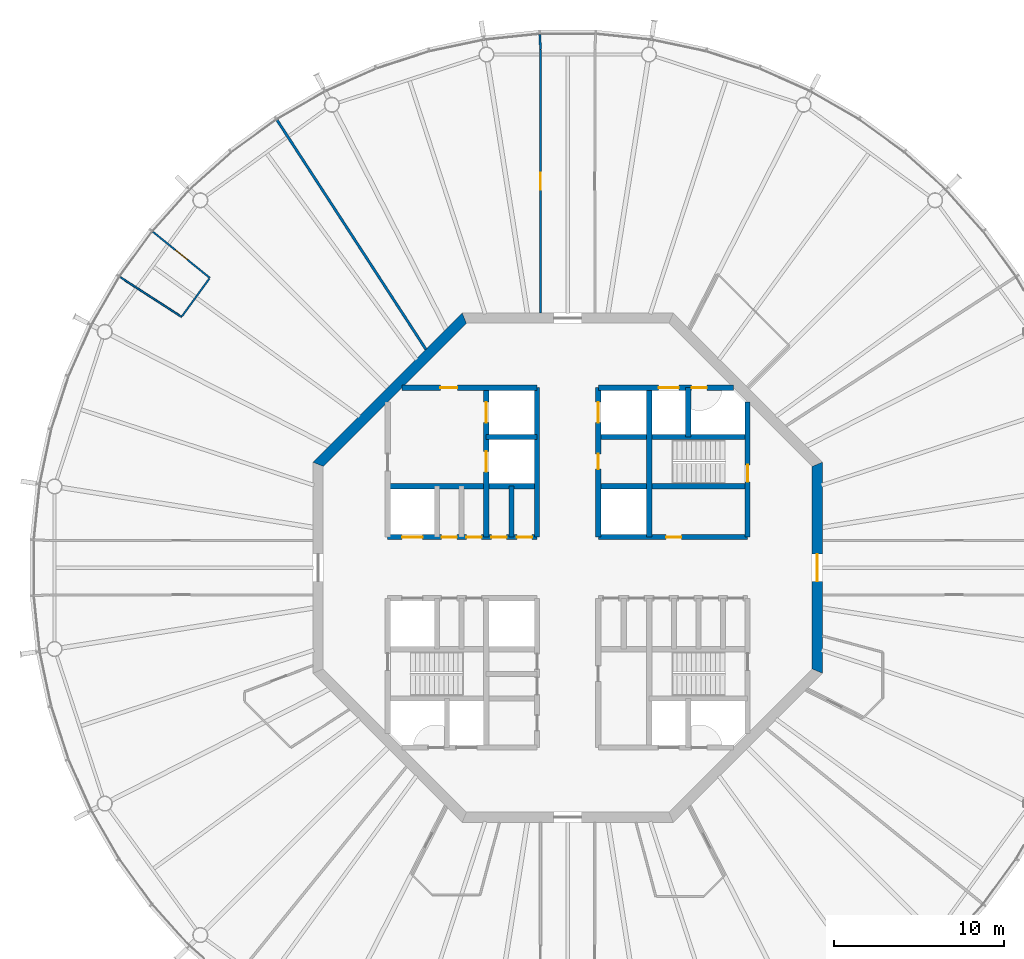
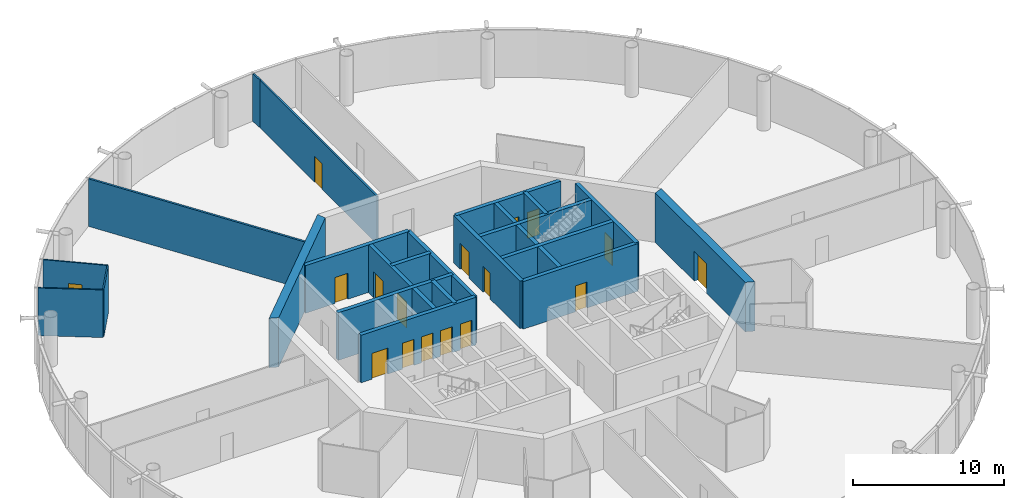
# One storey, part 5 of 19: 23 walls, 17 doors, 17 openings.
"""IFC4 building model written with IfcOpenShell, lengths in metres."""

from ifc_helpers import new_model, si_unit, direction, frame, frame_2d, origin, place, context, subcontext, project, spatial, polyline, rectangle, outline, extrude, material, layer, layer_set, type_object, element, fill, save


model = new_model("IFC4")

# Units and contexts
model_context = context("Model", 3, precision=1e-05, world=origin(), true_north=direction((0.0, 1.0)))
body_context = subcontext(model_context, "Body", "Model", "MODEL_VIEW")
ifc_project = project(units=[si_unit("LENGTHUNIT", "METRE"), si_unit("AREAUNIT", "SQUARE_METRE"), si_unit("VOLUMEUNIT", "CUBIC_METRE"), si_unit("PLANEANGLEUNIT", "RADIAN"), si_unit("MASSUNIT", "GRAM", prefix="KILO")], contexts=[model_context])

# Site, building, storey
site_placement = place(None, origin())
site = spatial("IfcSite", under=ifc_project, at=site_placement, CompositionType="ELEMENT")
building_placement = place(site_placement, origin())
building = spatial("IfcBuilding", under=site, at=building_placement, Name="Entoto Ring Tower", CompositionType="ELEMENT")
storey_placement = place(building_placement, frame((0.0, 0.0, 368.0)))
storey = spatial("IfcBuildingStorey", under=building, at=storey_placement, Name="L85", CompositionType="ELEMENT", Elevation=368.0)

# Wall, opening, door
ifc_material_1 = material(Name="Concrete C40/50", Category="concrete")
ifc_layer_1 = layer(ifc_material_1, 0.300048828125)
ifc_layer_set_1 = layer_set([ifc_layer_1], Name="Concrete C40/50")
wall_type_1 = type_object("IfcWallType", Name="Core enclosure wall 300 mm reinforced concrete", PredefinedType="SOLIDWALL", material=ifc_layer_set_1)
wall_1_placement = place(storey_placement, frame((100.60009765625, 81.800048828125, 0.0), z_axis=(0.0, 0.0, 1.0), x_axis=(0.0, 1.0, 0.0)))
wall_1 = element("IfcWall", 1, at=wall_1_placement, inside=storey, type_object=wall_type_1, Name="wall-L85-002", PredefinedType="SOLIDWALL", context=body_context, shape_type="SweptSolid", body=[
    extrude(rectangle(XDim=7.964599609375, YDim=0.300048828125, at=frame_2d((3.982421875, 0.0))), origin(), (0.0, 0.0, 1.0), 3.85009765625),
])
opening_1_placement = place(wall_1_placement, frame((3.25, 0.0, 0.0)))
opening_1 = element("IfcOpeningElement", 2, at=opening_1_placement, cuts=wall_1, Name="Opening K-29", PredefinedType="OPENING", context=body_context, shape_type="SweptSolid", body=[
    extrude(rectangle(XDim=1.0, YDim=2.10009765625, at=frame_2d((0.5, 1.050048828125))), frame((0.0, 0.16015625, 0.0), z_axis=(0.0, -1.0, 0.0), x_axis=(1.0, 0.0, 0.0)), (0.0, 0.0, 1.0), 0.320068359375),
])
ifc_material_2 = material(Name="Steel door leaf, fire rated", Category="steel")
ifc_layer_2 = layer(ifc_material_2, 0.050048828125)
ifc_layer_set_2 = layer_set([ifc_layer_2], Name="Steel door leaf, fire rated")
door_type_1 = type_object("IfcDoorType", Name="Fire door FD60 1000 x 2100 single leaf", OperationType="NOTDEFINED", PredefinedType="DOOR", material=ifc_layer_set_2)
door_1_placement = place(opening_1_placement, origin())
door_1 = element("IfcDoor", 3, at=door_1_placement, inside=storey, type_object=door_type_1, Name="Door K-29", OperationType="SINGLE_SWING_LEFT", OverallHeight=2.10009765625, OverallWidth=1.0, PredefinedType="DOOR", context=body_context, shape_type="SweptSolid", body=[
    extrude(rectangle(XDim=1.0, YDim=2.10009765625, at=frame_2d((0.5, 1.050048828125))), frame((0.0, 0.02490234375, 0.0), z_axis=(0.0, -1.0, 0.0), x_axis=(1.0, 0.0, 0.0)), (0.0, 0.0, 1.0), 0.050048828125),
])
fill(opening_1, door_1)

# Walls
wall_2_placement = place(storey_placement, frame((97.10009765625, 87.699951171875, 0.0), z_axis=(0.0, 0.0, 1.0), x_axis=(0.0, 1.0, 0.0)))
element("IfcWall", 4, at=wall_2_placement, inside=storey, type_object=wall_type_1, Name="wall-L85-006", PredefinedType="SOLIDWALL", context=body_context, shape_type="SweptSolid", body=[
    extrude(rectangle(XDim=2.900146484375, YDim=0.300048828125, at=frame_2d((1.4501953125, 0.0))), origin(), (0.0, 0.0, 1.0), 3.85009765625),
])
wall_3_placement = place(storey_placement, frame((94.800048828125, 81.800048828125, 0.0), z_axis=(0.0, 0.0, 1.0), x_axis=(0.0, 1.0, 0.0)))
element("IfcWall", 5, at=wall_3_placement, inside=storey, type_object=wall_type_1, Name="wall-L85-009", PredefinedType="SOLIDWALL", context=body_context, shape_type="SweptSolid", body=[
    extrude(rectangle(XDim=8.800048828125, YDim=0.300048828125, at=frame_2d((4.39990234375, 0.0))), origin(), (0.0, 0.0, 1.0), 3.85009765625),
])

# Wall, openings, doors
wall_4_placement = place(storey_placement, frame((91.800048828125, 81.800048828125, 0.0), z_axis=(0.0, 0.0, 1.0), x_axis=(0.0, 1.0, 0.0)))
wall_4 = element("IfcWall", 6, at=wall_4_placement, inside=storey, type_object=wall_type_1, Name="wall-L85-012", PredefinedType="SOLIDWALL", context=body_context, shape_type="SweptSolid", body=[
    extrude(rectangle(XDim=8.800048828125, YDim=0.300048828125, at=frame_2d((4.39990234375, 0.0))), origin(), (0.0, 0.0, 1.0), 3.85009765625),
])
opening_2_placement = place(wall_4_placement, frame((6.75, 0.0, 0.0)))
opening_2 = element("IfcOpeningElement", 7, at=opening_2_placement, cuts=wall_4, Name="Opening LD", PredefinedType="OPENING", context=body_context, shape_type="SweptSolid", body=[
    extrude(rectangle(XDim=1.199951171875, YDim=2.10009765625, at=frame_2d((0.60009765625, 1.050048828125))), frame((0.0, 0.16015625, 0.0), z_axis=(0.0, -1.0, 0.0), x_axis=(1.0, 0.0, 0.0)), (0.0, 0.0, 1.0), 0.320068359375),
])
opening_3_placement = place(wall_4_placement, frame((4.0, 0.0, 0.0)))
opening_3 = element("IfcOpeningElement", 8, at=opening_3_placement, cuts=wall_4, Name="Opening K-63", PredefinedType="OPENING", context=body_context, shape_type="SweptSolid", body=[
    extrude(rectangle(XDim=0.89990234375, YDim=2.10009765625, at=frame_2d((0.449951171875, 1.050048828125))), frame((0.0, 0.16015625, 0.0), z_axis=(0.0, -1.0, 0.0), x_axis=(1.0, 0.0, 0.0)), (0.0, 0.0, 1.0), 0.320068359375),
])
ifc_material_3 = material(Name="Steel door leaf, fire rated", Category="steel")
ifc_layer_3 = layer(ifc_material_3, 0.050048828125)
ifc_layer_set_3 = layer_set([ifc_layer_3], Name="Steel door leaf, fire rated")
door_type_2 = type_object("IfcDoorType", Name="Core door 900 x 2100 single leaf", OperationType="NOTDEFINED", PredefinedType="DOOR", material=ifc_layer_set_3)
door_2_placement = place(opening_3_placement, frame((0.89990234375, 0.0, 0.0), z_axis=(0.0, 0.0, 1.0), x_axis=(-1.0, 0.0, 0.0)))
door_2 = element("IfcDoor", 9, at=door_2_placement, inside=storey, type_object=door_type_2, Name="Door K-63", OperationType="SINGLE_SWING_RIGHT", OverallHeight=2.10009765625, OverallWidth=0.89990234375, PredefinedType="DOOR", context=body_context, shape_type="SweptSolid", body=[
    extrude(rectangle(XDim=0.89990234375, YDim=2.10009765625, at=frame_2d((0.449951171875, 1.050048828125))), frame((0.0, 0.02490234375, 0.0), z_axis=(0.0, -1.0, 0.0), x_axis=(1.0, 0.0, 0.0)), (0.0, 0.0, 1.0), 0.050048828125),
])
fill(opening_3, door_2)
ifc_material_4 = material(Name="Steel and glass door leaf", Category="steel")
ifc_layer_4 = layer(ifc_material_4, 0.050048828125)
ifc_layer_set_4 = layer_set([ifc_layer_4], Name="Steel and glass door leaf")
door_type_3 = type_object("IfcDoorType", Name="Landing door 1200 x 2100 sliding", OperationType="DOUBLE_DOOR_SLIDING", PredefinedType="DOOR", material=ifc_layer_set_4)
door_3_placement = place(opening_2_placement, origin())
door_3 = element("IfcDoor", 10, at=door_3_placement, inside=storey, type_object=door_type_3, Name="Landing door SH3", OperationType="SLIDING_TO_RIGHT", OverallHeight=2.10009765625, OverallWidth=1.199951171875, PredefinedType="DOOR", context=body_context, shape_type="SweptSolid", body=[
    extrude(rectangle(XDim=1.199951171875, YDim=2.10009765625, at=frame_2d((0.60009765625, 1.050048828125))), frame((0.0, 0.02490234375, 0.0), z_axis=(0.0, -1.0, 0.0), x_axis=(1.0, 0.0, 0.0)), (0.0, 0.0, 1.0), 0.050048828125),
])
fill(opening_2, door_3)

# Walls
wall_5_placement = place(storey_placement, frame((88.199951171875, 81.800048828125, 0.0), z_axis=(0.0, 0.0, 1.0), x_axis=(0.0, 1.0, 0.0)))
element("IfcWall", 11, at=wall_5_placement, inside=storey, type_object=wall_type_1, Name="wall-L85-014", PredefinedType="SOLIDWALL", context=body_context, shape_type="SweptSolid", body=[
    extrude(rectangle(XDim=8.800048828125, YDim=0.300048828125, at=frame_2d((4.39990234375, 0.0))), origin(), (0.0, 0.0, 1.0), 3.85009765625),
])
wall_6_placement = place(storey_placement, frame((86.699951171875, 81.800048828125, 0.0), z_axis=(0.0, 0.0, 1.0), x_axis=(0.0, 1.0, 0.0)))
element("IfcWall", 12, at=wall_6_placement, inside=storey, type_object=wall_type_1, Name="wall-L85-015", PredefinedType="SOLIDWALL", context=body_context, shape_type="SweptSolid", body=[
    extrude(rectangle(XDim=3.0, YDim=0.300048828125, at=frame_2d((1.5, 0.0))), origin(), (0.0, 0.0, 1.0), 3.85009765625),
])

# Wall, openings, doors
wall_7_placement = place(storey_placement, frame((85.199951171875, 81.800048828125, 0.0), z_axis=(0.0, 0.0, 1.0), x_axis=(0.0, 1.0, 0.0)))
wall_7 = element("IfcWall", 13, at=wall_7_placement, inside=storey, type_object=wall_type_1, Name="wall-L85-017", PredefinedType="SOLIDWALL", context=body_context, shape_type="SweptSolid", body=[
    extrude(rectangle(XDim=8.800048828125, YDim=0.300048828125, at=frame_2d((4.39990234375, 0.0))), origin(), (0.0, 0.0, 1.0), 3.85009765625),
])
opening_4_placement = place(wall_7_placement, frame((3.85009765625, 0.0, 0.0)))
opening_4 = element("IfcOpeningElement", 14, at=opening_4_placement, cuts=wall_7, Name="Opening LD", PredefinedType="OPENING", context=body_context, shape_type="SweptSolid", body=[
    extrude(rectangle(XDim=1.199951171875, YDim=2.10009765625, at=frame_2d((0.60009765625, 1.050048828125))), frame((0.0, 0.16015625, 0.0), z_axis=(0.0, -1.0, 0.0), x_axis=(1.0, 0.0, 0.0)), (0.0, 0.0, 1.0), 0.320068359375),
])
opening_5_placement = place(wall_7_placement, frame((6.75, 0.0, 0.0)))
opening_5 = element("IfcOpeningElement", 15, at=opening_5_placement, cuts=wall_7, Name="Opening LD", PredefinedType="OPENING", context=body_context, shape_type="SweptSolid", body=[
    extrude(rectangle(XDim=1.199951171875, YDim=2.10009765625, at=frame_2d((0.60009765625, 1.050048828125))), frame((0.0, 0.16015625, 0.0), z_axis=(0.0, -1.0, 0.0), x_axis=(1.0, 0.0, 0.0)), (0.0, 0.0, 1.0), 0.320068359375),
])
door_4_placement = place(opening_4_placement, origin())
door_4 = element("IfcDoor", 16, at=door_4_placement, inside=storey, type_object=door_type_3, Name="Landing door FF1", OperationType="SLIDING_TO_RIGHT", OverallHeight=2.10009765625, OverallWidth=1.199951171875, PredefinedType="DOOR", context=body_context, shape_type="SweptSolid", body=[
    extrude(rectangle(XDim=1.199951171875, YDim=2.10009765625, at=frame_2d((0.60009765625, 1.050048828125))), frame((0.0, 0.02490234375, 0.0), z_axis=(0.0, -1.0, 0.0), x_axis=(1.0, 0.0, 0.0)), (0.0, 0.0, 1.0), 0.050048828125),
])
fill(opening_4, door_4)
door_5_placement = place(opening_5_placement, origin())
door_5 = element("IfcDoor", 17, at=door_5_placement, inside=storey, type_object=door_type_3, Name="Landing door FF2", OperationType="SLIDING_TO_RIGHT", OverallHeight=2.10009765625, OverallWidth=1.199951171875, PredefinedType="DOOR", context=body_context, shape_type="SweptSolid", body=[
    extrude(rectangle(XDim=1.199951171875, YDim=2.10009765625, at=frame_2d((0.60009765625, 1.050048828125))), frame((0.0, 0.02490234375, 0.0), z_axis=(0.0, -1.0, 0.0), x_axis=(1.0, 0.0, 0.0)), (0.0, 0.0, 1.0), 0.050048828125),
])
fill(opening_5, door_5)

wall_8_placement = place(storey_placement, frame((79.39990234375, 81.800048828125, 0.0), z_axis=(0.0, 0.0, 1.0), x_axis=(1.0, 0.0, 0.0)))
wall_8 = element("IfcWall", 18, at=wall_8_placement, inside=storey, type_object=wall_type_1, Name="wall-L85-034", PredefinedType="SOLIDWALL", context=body_context, shape_type="SweptSolid", body=[
    extrude(rectangle(XDim=8.800048828125, YDim=0.300048828125, at=frame_2d((4.39990234375, 0.0))), origin(), (0.0, 0.0, 1.0), 3.85009765625),
])
opening_6_placement = place(wall_8_placement, frame((0.85009765625, 0.0, 0.0)))
opening_6 = element("IfcOpeningElement", 19, at=opening_6_placement, cuts=wall_8, Name="Opening LD", PredefinedType="OPENING", context=body_context, shape_type="SweptSolid", body=[
    extrude(rectangle(XDim=1.199951171875, YDim=2.10009765625, at=frame_2d((0.60009765625, 1.050048828125))), frame((0.0, 0.16015625, 0.0), z_axis=(0.0, -1.0, 0.0), x_axis=(1.0, 0.0, 0.0)), (0.0, 0.0, 1.0), 0.320068359375),
])
opening_7_placement = place(wall_8_placement, frame((3.175048828125, 0.0, 0.0)))
opening_7 = element("IfcOpeningElement", 20, at=opening_7_placement, cuts=wall_8, Name="Opening K-12", PredefinedType="OPENING", context=body_context, shape_type="SweptSolid", body=[
    extrude(rectangle(XDim=0.89990234375, YDim=2.10009765625, at=frame_2d((0.449951171875, 1.050048828125))), frame((0.0, 0.16015625, 0.0), z_axis=(0.0, -1.0, 0.0), x_axis=(1.0, 0.0, 0.0)), (0.0, 0.0, 1.0), 0.320068359375),
])
opening_8_placement = place(wall_8_placement, frame((4.625, 0.0, 0.0)))
opening_8 = element("IfcOpeningElement", 21, at=opening_8_placement, cuts=wall_8, Name="Opening K-46", PredefinedType="OPENING", context=body_context, shape_type="SweptSolid", body=[
    extrude(rectangle(XDim=0.89990234375, YDim=2.10009765625, at=frame_2d((0.449951171875, 1.050048828125))), frame((0.0, 0.16015625, 0.0), z_axis=(0.0, -1.0, 0.0), x_axis=(1.0, 0.0, 0.0)), (0.0, 0.0, 1.0), 0.320068359375),
])
opening_9_placement = place(wall_8_placement, frame((6.10009765625, 0.0, 0.0)))
opening_9 = element("IfcOpeningElement", 22, at=opening_9_placement, cuts=wall_8, Name="Opening K-25", PredefinedType="OPENING", context=body_context, shape_type="SweptSolid", body=[
    extrude(rectangle(XDim=0.89990234375, YDim=2.10009765625, at=frame_2d((0.449951171875, 1.050048828125))), frame((0.0, 0.16015625, 0.0), z_axis=(0.0, -1.0, 0.0), x_axis=(1.0, 0.0, 0.0)), (0.0, 0.0, 1.0), 0.320068359375),
])
opening_10_placement = place(wall_8_placement, frame((7.60009765625, 0.0, 0.0)))
opening_10 = element("IfcOpeningElement", 23, at=opening_10_placement, cuts=wall_8, Name="Opening K-77", PredefinedType="OPENING", context=body_context, shape_type="SweptSolid", body=[
    extrude(rectangle(XDim=0.89990234375, YDim=2.10009765625, at=frame_2d((0.449951171875, 1.050048828125))), frame((0.0, 0.16015625, 0.0), z_axis=(0.0, -1.0, 0.0), x_axis=(1.0, 0.0, 0.0)), (0.0, 0.0, 1.0), 0.320068359375),
])
door_6_placement = place(opening_7_placement, origin())
door_6 = element("IfcDoor", 24, at=door_6_placement, inside=storey, type_object=door_type_2, Name="Door K-12", OperationType="SINGLE_SWING_RIGHT", OverallHeight=2.10009765625, OverallWidth=0.89990234375, PredefinedType="DOOR", context=body_context, shape_type="SweptSolid", body=[
    extrude(rectangle(XDim=0.89990234375, YDim=2.10009765625, at=frame_2d((0.449951171875, 1.050048828125))), frame((0.0, 0.02490234375, 0.0), z_axis=(0.0, -1.0, 0.0), x_axis=(1.0, 0.0, 0.0)), (0.0, 0.0, 1.0), 0.050048828125),
])
fill(opening_7, door_6)
door_7_placement = place(opening_8_placement, origin())
door_7 = element("IfcDoor", 25, at=door_7_placement, inside=storey, type_object=door_type_2, Name="Door K-46", OperationType="SINGLE_SWING_RIGHT", OverallHeight=2.10009765625, OverallWidth=0.89990234375, PredefinedType="DOOR", context=body_context, shape_type="SweptSolid", body=[
    extrude(rectangle(XDim=0.89990234375, YDim=2.10009765625, at=frame_2d((0.449951171875, 1.050048828125))), frame((0.0, 0.02490234375, 0.0), z_axis=(0.0, -1.0, 0.0), x_axis=(1.0, 0.0, 0.0)), (0.0, 0.0, 1.0), 0.050048828125),
])
fill(opening_8, door_7)
door_8_placement = place(opening_9_placement, origin())
door_8 = element("IfcDoor", 26, at=door_8_placement, inside=storey, type_object=door_type_2, Name="Door K-25", OperationType="SINGLE_SWING_LEFT", OverallHeight=2.10009765625, OverallWidth=0.89990234375, PredefinedType="DOOR", context=body_context, shape_type="SweptSolid", body=[
    extrude(rectangle(XDim=0.89990234375, YDim=2.10009765625, at=frame_2d((0.449951171875, 1.050048828125))), frame((0.0, 0.02490234375, 0.0), z_axis=(0.0, -1.0, 0.0), x_axis=(1.0, 0.0, 0.0)), (0.0, 0.0, 1.0), 0.050048828125),
])
fill(opening_9, door_8)
door_9_placement = place(opening_10_placement, origin())
door_9 = element("IfcDoor", 27, at=door_9_placement, inside=storey, type_object=door_type_2, Name="Door K-77", OperationType="SINGLE_SWING_LEFT", OverallHeight=2.10009765625, OverallWidth=0.89990234375, PredefinedType="DOOR", context=body_context, shape_type="SweptSolid", body=[
    extrude(rectangle(XDim=0.89990234375, YDim=2.10009765625, at=frame_2d((0.449951171875, 1.050048828125))), frame((0.0, 0.02490234375, 0.0), z_axis=(0.0, -1.0, 0.0), x_axis=(1.0, 0.0, 0.0)), (0.0, 0.0, 1.0), 0.050048828125),
])
fill(opening_10, door_9)
door_10_placement = place(opening_6_placement, origin())
door_10 = element("IfcDoor", 28, at=door_10_placement, inside=storey, type_object=door_type_3, Name="Landing door SH1", OperationType="SLIDING_TO_RIGHT", OverallHeight=2.10009765625, OverallWidth=1.199951171875, PredefinedType="DOOR", context=body_context, shape_type="SweptSolid", body=[
    extrude(rectangle(XDim=1.199951171875, YDim=2.10009765625, at=frame_2d((0.60009765625, 1.050048828125))), frame((0.0, 0.02490234375, 0.0), z_axis=(0.0, -1.0, 0.0), x_axis=(1.0, 0.0, 0.0)), (0.0, 0.0, 1.0), 0.050048828125),
])
fill(opening_6, door_10)

# Wall, opening, door
wall_9_placement = place(storey_placement, frame((91.800048828125, 81.800048828125, 0.0), z_axis=(0.0, 0.0, 1.0), x_axis=(1.0, 0.0, 0.0)))
wall_9 = element("IfcWall", 29, at=wall_9_placement, inside=storey, type_object=wall_type_1, Name="wall-L85-035", PredefinedType="SOLIDWALL", context=body_context, shape_type="SweptSolid", body=[
    extrude(rectangle(XDim=8.800048828125, YDim=0.300048828125, at=frame_2d((4.39990234375, 0.0))), origin(), (0.0, 0.0, 1.0), 3.85009765625),
])
opening_11_placement = place(wall_9_placement, frame((4.0, 0.0, 0.0)))
opening_11 = element("IfcOpeningElement", 30, at=opening_11_placement, cuts=wall_9, Name="Opening K-11", PredefinedType="OPENING", context=body_context, shape_type="SweptSolid", body=[
    extrude(rectangle(XDim=0.89990234375, YDim=2.10009765625, at=frame_2d((0.449951171875, 1.050048828125))), frame((0.0, 0.16015625, 0.0), z_axis=(0.0, -1.0, 0.0), x_axis=(1.0, 0.0, 0.0)), (0.0, 0.0, 1.0), 0.320068359375),
])
door_11_placement = place(opening_11_placement, origin())
door_11 = element("IfcDoor", 31, at=door_11_placement, inside=storey, type_object=door_type_2, Name="Door K-11", OperationType="SINGLE_SWING_LEFT", OverallHeight=2.10009765625, OverallWidth=0.89990234375, PredefinedType="DOOR", context=body_context, shape_type="SweptSolid", body=[
    extrude(rectangle(XDim=0.89990234375, YDim=2.10009765625, at=frame_2d((0.449951171875, 1.050048828125))), frame((0.0, 0.02490234375, 0.0), z_axis=(0.0, -1.0, 0.0), x_axis=(1.0, 0.0, 0.0)), (0.0, 0.0, 1.0), 0.050048828125),
])
fill(opening_11, door_11)

# Walls
for number, where, z_axis, x_axis, name in (
    (32, (79.39990234375, 84.800048828125, 0.0), (0.0, 0.0, 1.0), (1.0, 0.0, 0.0), "wall-L85-036"),
    (33, (91.800048828125, 84.800048828125, 0.0), (0.0, 0.0, 1.0), (1.0, 0.0, 0.0), "wall-L85-037"),
):
    element("IfcWall", number, at=place(storey_placement, frame(where, z_axis=z_axis, x_axis=x_axis)), inside=storey, type_object=wall_type_1, Name=name, PredefinedType="SOLIDWALL", context=body_context, shape_type="SweptSolid", body=[
        extrude(rectangle(XDim=8.800048828125, YDim=0.300048828125, at=frame_2d((4.39990234375, 0.0))), origin(), (0.0, 0.0, 1.0), 3.85009765625),
    ])
wall_10_placement = place(storey_placement, frame((85.199951171875, 87.699951171875, 0.0), z_axis=(0.0, 0.0, 1.0), x_axis=(1.0, 0.0, 0.0)))
element("IfcWall", 34, at=wall_10_placement, inside=storey, type_object=wall_type_1, Name="wall-L85-038", PredefinedType="SOLIDWALL", context=body_context, shape_type="SweptSolid", body=[
    extrude(rectangle(XDim=3.0, YDim=0.300048828125, at=frame_2d((1.5, 0.0))), origin(), (0.0, 0.0, 1.0), 3.85009765625),
])
wall_11_placement = place(storey_placement, frame((91.800048828125, 87.699951171875, 0.0), z_axis=(0.0, 0.0, 1.0), x_axis=(1.0, 0.0, 0.0)))
element("IfcWall", 35, at=wall_11_placement, inside=storey, type_object=wall_type_1, Name="wall-L85-039", PredefinedType="SOLIDWALL", context=body_context, shape_type="SweptSolid", body=[
    extrude(rectangle(XDim=8.800048828125, YDim=0.300048828125, at=frame_2d((4.39990234375, 0.0))), origin(), (0.0, 0.0, 1.0), 3.85009765625),
])

# Wall, opening, door
wall_12_placement = place(storey_placement, frame((80.2353515625, 90.60009765625, 0.0), z_axis=(0.0, 0.0, 1.0), x_axis=(1.0, 0.0, 0.0)))
wall_12 = element("IfcWall", 36, at=wall_12_placement, inside=storey, type_object=wall_type_1, Name="wall-L85-040", PredefinedType="SOLIDWALL", context=body_context, shape_type="SweptSolid", body=[
    extrude(rectangle(XDim=7.964599609375, YDim=0.300048828125, at=frame_2d((3.982421875, 0.0))), origin(), (0.0, 0.0, 1.0), 3.85009765625),
])
opening_12_placement = place(wall_12_placement, frame((2.2646484375, 0.0, 0.0)))
opening_12 = element("IfcOpeningElement", 37, at=opening_12_placement, cuts=wall_12, Name="Opening K-36", PredefinedType="OPENING", context=body_context, shape_type="SweptSolid", body=[
    extrude(rectangle(XDim=1.0, YDim=2.10009765625, at=frame_2d((0.5, 1.050048828125))), frame((0.0, 0.16015625, 0.0), z_axis=(0.0, -1.0, 0.0), x_axis=(1.0, 0.0, 0.0)), (0.0, 0.0, 1.0), 0.320068359375),
])
door_12_placement = place(opening_12_placement, frame((1.0, 0.0, 0.0), z_axis=(0.0, 0.0, 1.0), x_axis=(-1.0, 0.0, 0.0)))
door_12 = element("IfcDoor", 38, at=door_12_placement, inside=storey, type_object=door_type_1, Name="Door K-36", OperationType="SINGLE_SWING_LEFT", OverallHeight=2.10009765625, OverallWidth=1.0, PredefinedType="DOOR", context=body_context, shape_type="SweptSolid", body=[
    extrude(rectangle(XDim=1.0, YDim=2.10009765625, at=frame_2d((0.5, 1.050048828125))), frame((0.0, 0.02490234375, 0.0), z_axis=(0.0, -1.0, 0.0), x_axis=(1.0, 0.0, 0.0)), (0.0, 0.0, 1.0), 0.050048828125),
])
fill(opening_12, door_12)

# Wall, openings, doors
wall_13_placement = place(storey_placement, frame((91.800048828125, 90.60009765625, 0.0), z_axis=(0.0, 0.0, 1.0), x_axis=(1.0, 0.0, 0.0)))
wall_13 = element("IfcWall", 39, at=wall_13_placement, inside=storey, type_object=wall_type_1, Name="wall-L85-041", PredefinedType="SOLIDWALL", context=body_context, shape_type="SweptSolid", body=[
    extrude(rectangle(XDim=7.964599609375, YDim=0.300048828125, at=frame_2d((3.982421875, 0.0))), origin(), (0.0, 0.0, 1.0), 3.85009765625),
])
opening_13_placement = place(wall_13_placement, frame((3.550048828125, 0.0, 0.0)))
opening_13 = element("IfcOpeningElement", 40, at=opening_13_placement, cuts=wall_13, Name="Opening LD", PredefinedType="OPENING", context=body_context, shape_type="SweptSolid", body=[
    extrude(rectangle(XDim=1.199951171875, YDim=2.10009765625, at=frame_2d((0.60009765625, 1.050048828125))), frame((0.0, 0.16015625, 0.0), z_axis=(0.0, -1.0, 0.0), x_axis=(1.0, 0.0, 0.0)), (0.0, 0.0, 1.0), 0.320068359375),
])
opening_14_placement = place(wall_13_placement, frame((5.5, 0.0, 0.0)))
opening_14 = element("IfcOpeningElement", 41, at=opening_14_placement, cuts=wall_13, Name="Opening K-32", PredefinedType="OPENING", context=body_context, shape_type="SweptSolid", body=[
    extrude(rectangle(XDim=0.89990234375, YDim=2.10009765625, at=frame_2d((0.449951171875, 1.050048828125))), frame((0.0, 0.16015625, 0.0), z_axis=(0.0, -1.0, 0.0), x_axis=(1.0, 0.0, 0.0)), (0.0, 0.0, 1.0), 0.320068359375),
])
door_13_placement = place(opening_13_placement, origin())
door_13 = element("IfcDoor", 42, at=door_13_placement, inside=storey, type_object=door_type_3, Name="Landing door LB1-HR", OperationType="SLIDING_TO_RIGHT", OverallHeight=2.10009765625, OverallWidth=1.199951171875, PredefinedType="DOOR", context=body_context, shape_type="SweptSolid", body=[
    extrude(rectangle(XDim=1.199951171875, YDim=2.10009765625, at=frame_2d((0.60009765625, 1.050048828125))), frame((0.0, 0.02490234375, 0.0), z_axis=(0.0, -1.0, 0.0), x_axis=(1.0, 0.0, 0.0)), (0.0, 0.0, 1.0), 0.050048828125),
])
fill(opening_13, door_13)
ifc_material_5 = material(Name="Steel door leaf, fire rated", Category="steel")
ifc_layer_5 = layer(ifc_material_5, 0.050048828125)
ifc_layer_set_5 = layer_set([ifc_layer_5], Name="Steel door leaf, fire rated")
door_type_4 = type_object("IfcDoorType", Name="Riser door FD60 900 x 2100 single leaf", OperationType="NOTDEFINED", PredefinedType="DOOR", material=ifc_layer_set_5)
door_14_placement = place(opening_14_placement, frame((0.89990234375, 0.0, 0.0), z_axis=(0.0, 0.0, 1.0), x_axis=(-1.0, 0.0, 0.0)))
door_14 = element("IfcDoor", 43, at=door_14_placement, inside=storey, type_object=door_type_4, Name="Door K-32", OperationType="SINGLE_SWING_RIGHT", OverallHeight=2.10009765625, OverallWidth=0.89990234375, PredefinedType="DOOR", context=body_context, shape_type="SweptSolid", body=[
    extrude(rectangle(XDim=0.89990234375, YDim=2.10009765625, at=frame_2d((0.449951171875, 1.050048828125))), frame((0.0, 0.02490234375, 0.0), z_axis=(0.0, -1.0, 0.0), x_axis=(1.0, 0.0, 0.0)), (0.0, 0.0, 1.0), 0.050048828125),
])
fill(opening_14, door_14)

# Wall, opening, door
ifc_material_6 = material(Name="Concrete C40/50", Category="concrete")
ifc_layer_6 = layer(ifc_material_6, 0.60009765625)
ifc_layer_set_6 = layer_set([ifc_layer_6], Name="Concrete C40/50")
wall_type_2 = type_object("IfcWallType", Name="Core shear wall 600 mm reinforced concrete C40/50", PredefinedType="SHEAR", material=ifc_layer_set_6)
wall_14_placement = place(storey_placement, frame((104.699951171875, 73.9111328125, 0.0), z_axis=(0.0, 0.0, 1.0), x_axis=(0.0, 1.0, 0.0)))
wall_14 = element("IfcWall", 44, at=wall_14_placement, inside=storey, type_object=wall_type_2, Name="wall-L85-core-0", PredefinedType="SHEAR", context=body_context, shape_type="SweptSolid", body=[
    extrude(outline(polyline([(-0.124267578125, -0.300048828125), (12.302001953125, -0.300048828125), (12.053466796875, 0.300048828125), (0.124267578125, 0.300048828125), (-0.124267578125, -0.300048828125)])), origin(), (0.0, 0.0, 1.0), 4.0),
])
opening_15_placement = place(wall_14_placement, frame((5.288818359375, 0.0, 0.0)))
opening_15 = element("IfcOpeningElement", 45, at=opening_15_placement, cuts=wall_14, Name="Opening K-01", PredefinedType="OPENING", context=body_context, shape_type="SweptSolid", body=[
    extrude(rectangle(XDim=1.60009765625, YDim=2.39990234375, at=frame_2d((0.800048828125, 1.199951171875))), frame((0.0, 0.31005859375, 0.0), z_axis=(0.0, -1.0, 0.0), x_axis=(1.0, 0.0, 0.0)), (0.0, 0.0, 1.0), 0.6201171875),
])
ifc_material_7 = material(Name="Steel door leaf, fire rated", Category="steel")
ifc_layer_7 = layer(ifc_material_7, 0.050048828125)
ifc_layer_set_7 = layer_set([ifc_layer_7], Name="Steel door leaf, fire rated")
door_type_5 = type_object("IfcDoorType", Name="Entrance door FD60 1600 x 2400 double leaf", OperationType="DOUBLE_DOOR_SINGLE_SWING", PredefinedType="DOOR", material=ifc_layer_set_7)
door_15_placement = place(opening_15_placement, origin())
door_15 = element("IfcDoor", 46, at=door_15_placement, inside=storey, type_object=door_type_5, Name="Entrance door K-01", OperationType="DOUBLE_DOOR_SINGLE_SWING", OverallHeight=2.39990234375, OverallWidth=1.60009765625, PredefinedType="DOOR", context=body_context, shape_type="SweptSolid", body=[
    extrude(rectangle(XDim=1.60009765625, YDim=2.39990234375, at=frame_2d((0.800048828125, 1.199951171875))), frame((0.0, 0.02490234375, 0.0), z_axis=(0.0, -1.0, 0.0), x_axis=(1.0, 0.0, 0.0)), (0.0, 0.0, 1.0), 0.050048828125),
])
fill(opening_15, door_15)

# Wall
wall_15_placement = place(storey_placement, frame((83.9111328125, 94.699951171875, 0.0), z_axis=(0.0, 0.0, 1.0), x_axis=(-0.707106781187, -0.707106781187, 0.0)))
element("IfcWall", 47, at=wall_15_placement, inside=storey, type_object=wall_type_2, Name="wall-L85-core-3", PredefinedType="SHEAR", context=body_context, shape_type="SweptSolid", body=[
    extrude(outline(polyline([(-0.124267578125, -0.300048828125), (12.30224609375, -0.300048828125), (12.0537109375, 0.300048828125), (0.124267578125, 0.300048828125), (-0.124267578125, -0.300048828125)])), origin(), (0.0, 0.0, 1.0), 4.0),
])

# Wall, opening, door
ifc_material_8 = material(Name="Fire-resisting plasterboard on steel studs", Category="steel")
ifc_layer_8 = layer(ifc_material_8, 0.125)
ifc_layer_set_8 = layer_set([ifc_layer_8], Name="Fire-resisting plasterboard on steel studs")
wall_type_3 = type_object("IfcWallType", Name="Corridor wall 125 mm one-hour plasterboard on steel studs", PredefinedType="PARTITIONING", material=ifc_layer_set_8)
wall_16_placement = place(storey_placement, frame((88.39990234375, 95.0, 0.0), z_axis=(0.0, 0.0, 1.0), x_axis=(0.0, 1.0, 0.0)))
wall_16 = element("IfcWall", 48, at=wall_16_placement, inside=storey, type_object=wall_type_3, Name="partition-L85-004", PredefinedType="PARTITIONING", context=body_context, shape_type="SweptSolid", body=[
    extrude(rectangle(XDim=15.52978515625, YDim=0.125, at=frame_2d((7.764892578125, 0.0))), origin(), (0.0, 0.0, 1.0), 3.85009765625),
])
opening_16_placement = place(wall_16_placement, frame((7.264892578125, 0.0, 0.0)))
opening_16 = element("IfcOpeningElement", 49, at=opening_16_placement, cuts=wall_16, Name="Opening A36-D04", PredefinedType="OPENING", context=body_context, shape_type="SweptSolid", body=[
    extrude(rectangle(XDim=1.0, YDim=2.10009765625, at=frame_2d((0.5, 1.050048828125))), frame((0.0, 0.072509765625, 0.0), z_axis=(0.0, -1.0, 0.0), x_axis=(1.0, 0.0, 0.0)), (0.0, 0.0, 1.0), 0.14501953125),
])
ifc_material_9 = material(Name="Fire-resisting timber door set", Category="wood")
door_type_6 = type_object("IfcDoorType", Name="Door 1000 x 2100 single leaf FD30S fire door", OperationType="NOTDEFINED", PredefinedType="DOOR", material=ifc_material_9)
door_16_placement = place(opening_16_placement, origin())
door_16 = element("IfcDoor", 50, at=door_16_placement, inside=storey, type_object=door_type_6, Name="Door A36-D04", OperationType="SINGLE_SWING_LEFT", OverallHeight=2.10009765625, OverallWidth=1.0, PredefinedType="DOOR", context=body_context, shape_type="SweptSolid", body=[
    extrude(rectangle(XDim=1.0, YDim=2.10009765625, at=frame_2d((0.5, 1.050048828125))), frame((0.0, 0.02490234375, 0.0), z_axis=(0.0, -1.0, 0.0), x_axis=(1.0, 0.0, 0.0)), (0.0, 0.0, 1.0), 0.050048828125),
])
fill(opening_16, door_16)

# Wall
wall_17_placement = place(storey_placement, frame((88.39990234375, 110.533203125, 0.0), z_axis=(0.0, 0.0, 1.0), x_axis=(-0.052499574911, 0.998620946423, 0.0)))
element("IfcWall", 51, at=wall_17_placement, inside=storey, type_object=wall_type_3, Name="partition-L85-012", PredefinedType="PARTITIONING", context=body_context, shape_type="SweptSolid", body=[
    extrude(rectangle(XDim=0.864990234375, YDim=0.125, at=frame_2d((0.4326171875, 0.0))), origin(), (0.0, 0.0, 1.0), 3.85009765625),
])

# Wall, opening, door
ifc_material_10 = material(Name="Plasterboard on steel studs", Category="steel")
ifc_layer_9 = layer(ifc_material_10, 0.10009765625)
ifc_layer_set_9 = layer_set([ifc_layer_9], Name="Plasterboard on steel studs")
wall_type_4 = type_object("IfcWallType", Name="Partition 100 mm plasterboard on steel studs", PredefinedType="PARTITIONING", material=ifc_layer_set_9)
wall_18_placement = place(storey_placement, frame((68.923828125, 97.067138671875, 0.0), z_axis=(0.0, 0.0, 1.0), x_axis=(-0.777150107882, 0.629315270606, 0.0)))
wall_18 = element("IfcWall", 52, at=wall_18_placement, inside=storey, type_object=wall_type_4, Name="partition-L85-026", PredefinedType="PARTITIONING", context=body_context, shape_type="SweptSolid", body=[
    extrude(rectangle(XDim=4.320068359375, YDim=0.10009765625, at=frame_2d((2.16015625, 0.0))), origin(), (0.0, 0.0, 1.0), 3.85009765625),
])
opening_17_placement = place(wall_18_placement, frame((1.7099609375, 0.0, 0.0)))
opening_17 = element("IfcOpeningElement", 53, at=opening_17_placement, cuts=wall_18, Name="Opening A36-D06", PredefinedType="OPENING", context=body_context, shape_type="SweptSolid", body=[
    extrude(rectangle(XDim=0.89990234375, YDim=2.10009765625, at=frame_2d((0.449951171875, 1.050048828125))), frame((0.0, 0.06005859375, 0.0), z_axis=(0.0, -1.0, 0.0), x_axis=(1.0, 0.0, 0.0)), (0.0, 0.0, 1.0), 0.1201171875),
])
ifc_material_11 = material(Name="Veneered timber door leaf in timber frame", Category="wood")
door_type_7 = type_object("IfcDoorType", Name="Door 900 x 2100 single leaf timber veneer", OperationType="NOTDEFINED", PredefinedType="DOOR", material=ifc_material_11)
door_17_placement = place(opening_17_placement, origin())
door_17 = element("IfcDoor", 54, at=door_17_placement, inside=storey, type_object=door_type_7, Name="Door A36-D06", OperationType="SINGLE_SWING_RIGHT", OverallHeight=2.10009765625, OverallWidth=0.89990234375, PredefinedType="DOOR", context=body_context, shape_type="SweptSolid", body=[
    extrude(rectangle(XDim=0.89990234375, YDim=2.10009765625, at=frame_2d((0.449951171875, 1.050048828125))), frame((0.0, 0.02490234375, 0.0), z_axis=(0.0, -1.0, 0.0), x_axis=(1.0, 0.0, 0.0)), (0.0, 0.0, 1.0), 0.050048828125),
])
fill(opening_17, door_17)

# Walls
wall_19_placement = place(storey_placement, frame((67.25537109375, 94.7705078125, 0.0), z_axis=(0.0, 0.0, 1.0), x_axis=(-0.838666904921, 0.544644675536, 0.0)))
element("IfcWall", 55, at=wall_19_placement, inside=storey, type_object=wall_type_4, Name="partition-L85-027", PredefinedType="PARTITIONING", context=body_context, shape_type="SweptSolid", body=[
    extrude(rectangle(XDim=4.3203125, YDim=0.10009765625, at=frame_2d((2.16015625, 0.0))), origin(), (0.0, 0.0, 1.0), 3.85009765625),
])
wall_20_placement = place(storey_placement, frame((67.28466796875, 94.81103515625, 0.0), z_axis=(0.0, 0.0, 1.0), x_axis=(0.587779419008, 0.809021232472, 0.0)))
element("IfcWall", 56, at=wall_20_placement, inside=storey, type_object=wall_type_4, Name="partition-L85-035", PredefinedType="PARTITIONING", context=body_context, shape_type="SweptSolid", body=[
    extrude(rectangle(XDim=2.73876953125, YDim=0.10009765625, at=frame_2d((1.369384765625, 0.0))), origin(), (0.0, 0.0, 1.0), 3.85009765625),
])
ifc_material_12 = material(Name="Fire-resisting acoustic plasterboard on steel studs", Category="steel")
ifc_layer_10 = layer(ifc_material_12, 0.14990234375)
ifc_layer_set_10 = layer_set([ifc_layer_10], Name="Fire-resisting acoustic plasterboard on steel studs")
wall_type_5 = type_object("IfcWallType", Name="Party wall 150 mm one-hour acoustic plasterboard on steel studs", PredefinedType="PARTITIONING", material=ifc_layer_set_10)
wall_21_placement = place(storey_placement, frame((81.64794921875, 92.861083984375, 0.0), z_axis=(0.0, 0.0, 1.0), x_axis=(-0.54464089364, 0.838669360937, 0.0)))
element("IfcWall", 57, at=wall_21_placement, inside=storey, type_object=wall_type_5, Name="partition-L85-019", PredefinedType="PARTITIONING", context=body_context, shape_type="SweptSolid", body=[
    extrude(rectangle(XDim=16.10498046875, YDim=0.14990234375, at=frame_2d((8.052490234375, 0.0))), origin(), (0.0, 0.0, 1.0), 3.85009765625),
])

save(model, "model.ifc")
